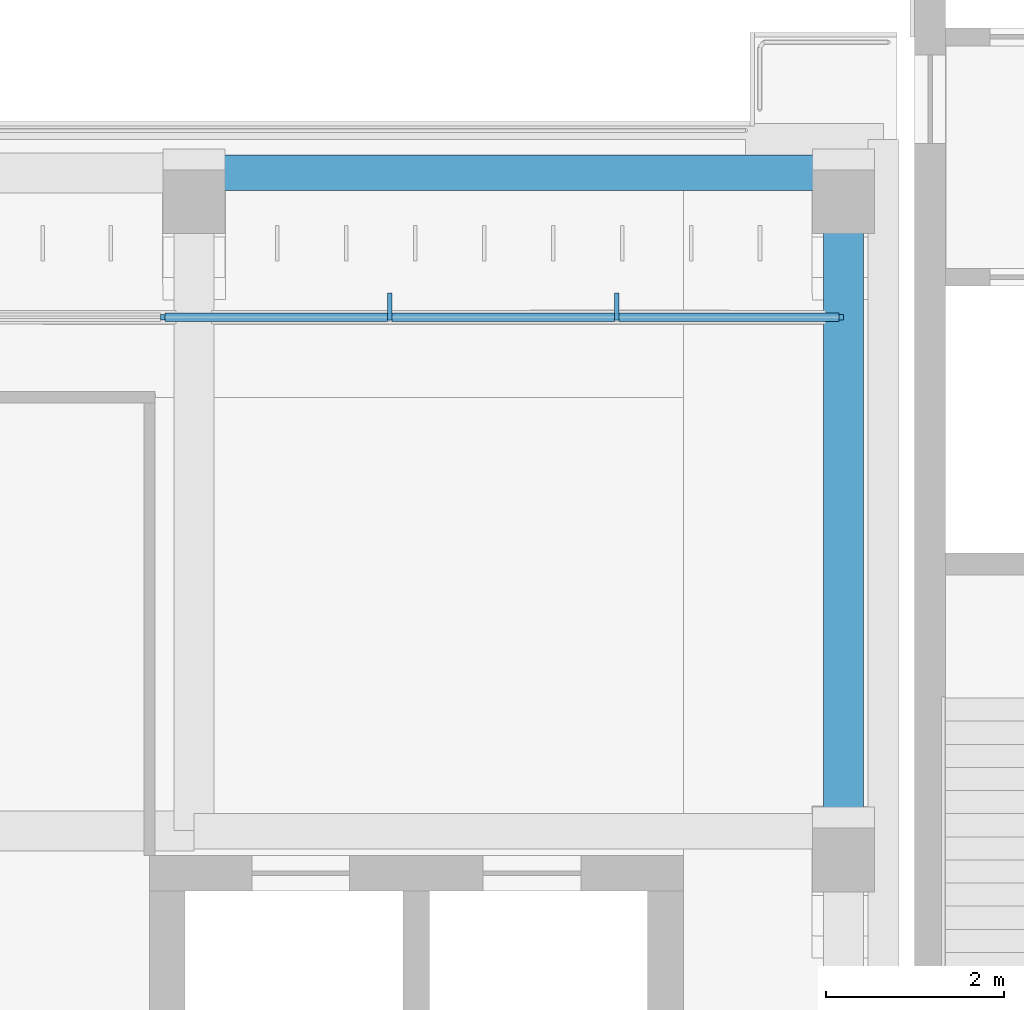
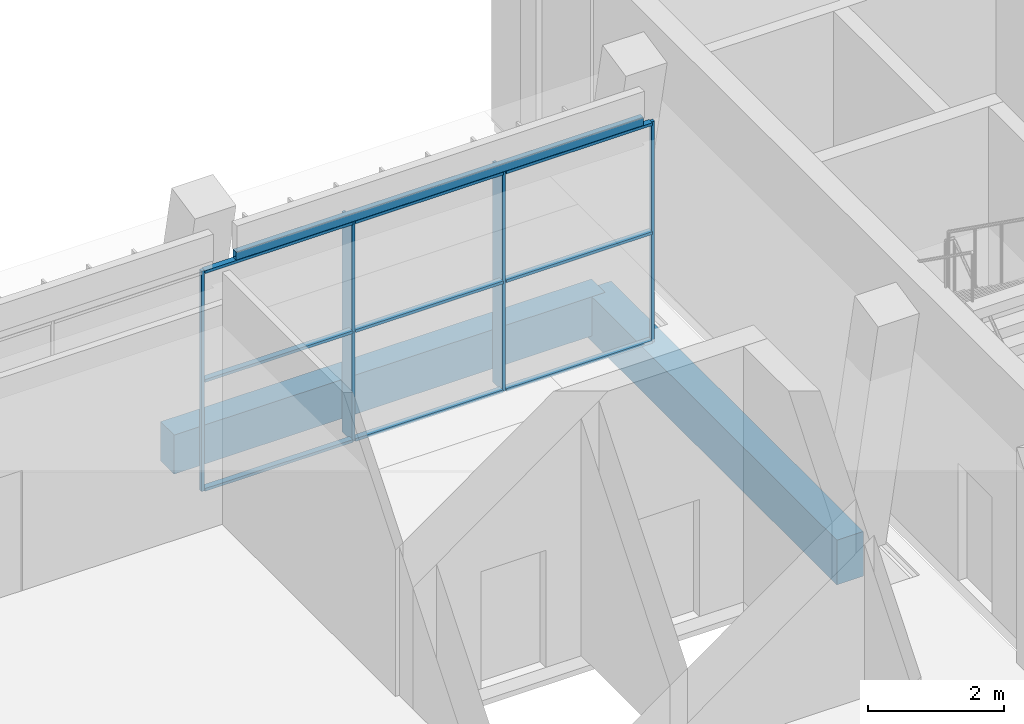
# One storey, part 14 of 74: 13 members, 3 beams, 1 element without a shape of its own.
"""IFC4 building model written with IfcOpenShell, lengths in metres."""

from ifc_helpers import new_model, si_unit, direction, frame, origin, origin_2d, place, context, subcontext, project, spatial, rectangle, hollow_rectangle, extrude, material, material_profile, profile_set, type_object, element, aggregate, save


model = new_model("IFC4")

# Units and contexts
model_context = context("Model", 3, precision=1e-05, world=origin(), true_north=direction((0.0, 1.0)))
body_context = subcontext(model_context, "Body", "Model", "MODEL_VIEW")
ifc_project = project(units=[si_unit("LENGTHUNIT", "METRE"), si_unit("AREAUNIT", "SQUARE_METRE"), si_unit("VOLUMEUNIT", "CUBIC_METRE"), si_unit("PLANEANGLEUNIT", "RADIAN"), si_unit("MASSUNIT", "GRAM", prefix="KILO")], contexts=[model_context])

# Site, building, storey
site_placement = place(None, origin())
site = spatial("IfcSite", under=ifc_project, at=site_placement, CompositionType="ELEMENT")
building_placement = place(site_placement, origin())
building = spatial("IfcBuilding", under=site, at=building_placement, Name="Lantern Court Media Centre", CompositionType="ELEMENT")
storey_placement = place(building_placement, frame((0.0, 0.0, 19.199951171875)))
storey = spatial("IfcBuildingStorey", under=building, at=storey_placement, Name="L04", CompositionType="ELEMENT", Elevation=19.199951171875)

# Curtain wall, members
ifc_material_1 = material(Name="Curtain wall bay 2400")
curtain_wall_type = type_object("IfcCurtainWallType", Name="Curtain wall bay 2400", PredefinedType="NOTDEFINED", material=ifc_material_1)
curtain_wall_placement = place(storey_placement, origin())
curtain_wall = element("IfcCurtainWall", 1, at=curtain_wall_placement, inside=storey, type_object=curtain_wall_type, Name="Curtain wall S inner L04", PredefinedType="NOTDEFINED")
ifc_material_2 = material(Name="Anodised aluminium", Category="aluminium")
ifc_material_profile_1 = material_profile(ifc_material_2, rectangle(XDim=0.300048828125, YDim=0.050048828125, at=origin_2d()), Name="AL 50x300")
ifc_profile_set_1 = profile_set([ifc_material_profile_1], Name="Anodised aluminium")
member_type_1 = type_object("IfcMemberType", Name="Curtain wall mullion 50x300", PredefinedType="MULLION", material=ifc_profile_set_1)
member_1_placement = place(storey_placement, frame((74.199951171875, 57.969970703125, 0.0), z_axis=(0.0, 0.0, 1.0), x_axis=(0.0, 1.0, 0.0)))
member_1 = element("IfcMember", 2, at=member_1_placement, type_object=member_type_1, Name="CW2 mullion 5", PredefinedType="MULLION", context=body_context, shape_type="SweptSolid", body=[
    extrude(rectangle(XDim=0.300048828125, YDim=0.050048828125, at=origin_2d()), origin(), (0.0, 0.0, 1.0), 3.949951171875),
])
member_2_placement = place(storey_placement, frame((76.75, 57.969970703125, 0.0), z_axis=(0.0, 0.0, 1.0), x_axis=(0.0, 1.0, 0.0)))
member_2 = element("IfcMember", 3, at=member_2_placement, type_object=member_type_1, Name="CW2 mullion 6", PredefinedType="MULLION", context=body_context, shape_type="SweptSolid", body=[
    extrude(rectangle(XDim=0.300048828125, YDim=0.050048828125, at=origin_2d()), origin(), (0.0, 0.0, 1.0), 3.949951171875),
])
ifc_material_profile_2 = material_profile(ifc_material_2, rectangle(XDim=0.06005859375, YDim=0.050048828125, at=origin_2d()), Name="AL 50x60")
ifc_profile_set_2 = profile_set([ifc_material_profile_2], Name="Anodised aluminium")
member_type_2 = type_object("IfcMemberType", Name="Curtain wall mullion 50x60", PredefinedType="MULLION", material=ifc_profile_set_2)
member_3_placement = place(storey_placement, frame((71.64990234375, 57.85009765625, 0.0), z_axis=(0.0, 0.0, 1.0), x_axis=(0.0, 1.0, 0.0)))
member_3 = element("IfcMember", 4, at=member_3_placement, type_object=member_type_2, Name="CW2 mullion 4", PredefinedType="MULLION", context=body_context, shape_type="SweptSolid", body=[
    extrude(rectangle(XDim=0.06005859375, YDim=0.050048828125, at=origin_2d()), origin(), (0.0, 0.0, 1.0), 3.949951171875),
])
member_4_placement = place(storey_placement, frame((79.27490234375, 57.85009765625, 0.0), z_axis=(0.0, 0.0, 1.0), x_axis=(0.0, 1.0, 0.0)))
member_4 = element("IfcMember", 5, at=member_4_placement, type_object=member_type_2, Name="CW2 mullion 7", PredefinedType="MULLION", context=body_context, shape_type="SweptSolid", body=[
    extrude(rectangle(XDim=0.06005859375, YDim=0.050048828125, at=origin_2d()), origin(), (0.0, 0.0, 1.0), 3.949951171875),
])
ifc_material_profile_3 = material_profile(ifc_material_2, rectangle(XDim=0.10009765625, YDim=0.050048828125, at=origin_2d()), Name="AL 50x100")
ifc_profile_set_3 = profile_set([ifc_material_profile_3], Name="Anodised aluminium")
member_type_3 = type_object("IfcMemberType", Name="Curtain wall transom 100x50", PredefinedType="USERDEFINED", material=ifc_profile_set_3)
member_5_placement = place(storey_placement, frame((71.675048828125, 57.85009765625, 0.025146484375), z_axis=(1.0, 0.0, 0.0), x_axis=(0.0, 1.0, 0.0)))
member_5 = element("IfcMember", 6, at=member_5_placement, type_object=member_type_3, Name="CW2 transom 4.1", ObjectType="TRANSOM", PredefinedType="USERDEFINED", context=body_context, shape_type="SweptSolid", body=[
    extrude(rectangle(XDim=0.10009765625, YDim=0.050048828125, at=origin_2d()), origin(), (0.0, 0.0, 1.0), 2.5),
])
member_6_placement = place(storey_placement, frame((71.675048828125, 57.85009765625, 1.97509765625), z_axis=(1.0, 0.0, 0.0), x_axis=(0.0, 1.0, 0.0)))
member_6 = element("IfcMember", 7, at=member_6_placement, type_object=member_type_3, Name="CW2 transom 4.2", ObjectType="TRANSOM", PredefinedType="USERDEFINED", context=body_context, shape_type="SweptSolid", body=[
    extrude(rectangle(XDim=0.10009765625, YDim=0.050048828125, at=origin_2d()), origin(), (0.0, 0.0, 1.0), 2.5),
])
member_7_placement = place(storey_placement, frame((71.675048828125, 57.85009765625, 3.925048828125), z_axis=(1.0, 0.0, 0.0), x_axis=(0.0, 1.0, 0.0)))
member_7 = element("IfcMember", 8, at=member_7_placement, type_object=member_type_3, Name="CW2 transom 4.3", ObjectType="TRANSOM", PredefinedType="USERDEFINED", context=body_context, shape_type="SweptSolid", body=[
    extrude(rectangle(XDim=0.10009765625, YDim=0.050048828125, at=origin_2d()), origin(), (0.0, 0.0, 1.0), 2.5),
])
member_8_placement = place(storey_placement, frame((74.22509765625, 57.85009765625, 0.025146484375), z_axis=(1.0, 0.0, 0.0), x_axis=(0.0, 1.0, 0.0)))
member_8 = element("IfcMember", 9, at=member_8_placement, type_object=member_type_3, Name="CW2 transom 5.1", ObjectType="TRANSOM", PredefinedType="USERDEFINED", context=body_context, shape_type="SweptSolid", body=[
    extrude(rectangle(XDim=0.10009765625, YDim=0.050048828125, at=origin_2d()), origin(), (0.0, 0.0, 1.0), 2.5),
])
member_9_placement = place(storey_placement, frame((74.22509765625, 57.85009765625, 1.97509765625), z_axis=(1.0, 0.0, 0.0), x_axis=(0.0, 1.0, 0.0)))
member_9 = element("IfcMember", 10, at=member_9_placement, type_object=member_type_3, Name="CW2 transom 5.2", ObjectType="TRANSOM", PredefinedType="USERDEFINED", context=body_context, shape_type="SweptSolid", body=[
    extrude(rectangle(XDim=0.10009765625, YDim=0.050048828125, at=origin_2d()), origin(), (0.0, 0.0, 1.0), 2.5),
])
member_10_placement = place(storey_placement, frame((74.22509765625, 57.85009765625, 3.925048828125), z_axis=(1.0, 0.0, 0.0), x_axis=(0.0, 1.0, 0.0)))
member_10 = element("IfcMember", 11, at=member_10_placement, type_object=member_type_3, Name="CW2 transom 5.3", ObjectType="TRANSOM", PredefinedType="USERDEFINED", context=body_context, shape_type="SweptSolid", body=[
    extrude(rectangle(XDim=0.10009765625, YDim=0.050048828125, at=origin_2d()), origin(), (0.0, 0.0, 1.0), 2.5),
])
member_11_placement = place(storey_placement, frame((76.77490234375, 57.85009765625, 0.025146484375), z_axis=(1.0, 0.0, 0.0), x_axis=(0.0, 1.0, 0.0)))
member_11 = element("IfcMember", 12, at=member_11_placement, type_object=member_type_3, Name="CW2 transom 6.1", ObjectType="TRANSOM", PredefinedType="USERDEFINED", context=body_context, shape_type="SweptSolid", body=[
    extrude(rectangle(XDim=0.10009765625, YDim=0.050048828125, at=origin_2d()), origin(), (0.0, 0.0, 1.0), 2.47509765625),
])
member_12_placement = place(storey_placement, frame((76.77490234375, 57.85009765625, 1.97509765625), z_axis=(1.0, 0.0, 0.0), x_axis=(0.0, 1.0, 0.0)))
member_12 = element("IfcMember", 13, at=member_12_placement, type_object=member_type_3, Name="CW2 transom 6.2", ObjectType="TRANSOM", PredefinedType="USERDEFINED", context=body_context, shape_type="SweptSolid", body=[
    extrude(rectangle(XDim=0.10009765625, YDim=0.050048828125, at=origin_2d()), origin(), (0.0, 0.0, 1.0), 2.47509765625),
])
member_13_placement = place(storey_placement, frame((76.77490234375, 57.85009765625, 3.925048828125), z_axis=(1.0, 0.0, 0.0), x_axis=(0.0, 1.0, 0.0)))
member_13 = element("IfcMember", 14, at=member_13_placement, type_object=member_type_3, Name="CW2 transom 6.3", ObjectType="TRANSOM", PredefinedType="USERDEFINED", context=body_context, shape_type="SweptSolid", body=[
    extrude(rectangle(XDim=0.10009765625, YDim=0.050048828125, at=origin_2d()), origin(), (0.0, 0.0, 1.0), 2.47509765625),
])
aggregate(curtain_wall, [member_3, member_1, member_2, member_4, member_5, member_6, member_7, member_8, member_9, member_10, member_11, member_12, member_13])

# Beams
ifc_material_3 = material(Name="Steel S355J2 (EN 10025-2)", Category="steel")
ifc_material_profile_4 = material_profile(ifc_material_3, hollow_rectangle(XDim=0.10009765625, YDim=0.14990234375, WallThickness=0.00634765625, InnerFilletRadius=0.00634765625, OuterFilletRadius=0.009521484375, at=origin_2d()), Name="Facade head lintel RHS 150x100x6.3")
ifc_profile_set_4 = profile_set([ifc_material_profile_4], Name="Steel S355J2 (EN 10025-2)")
beam_type_1 = type_object("IfcBeamType", Name="Facade head lintel RHS 150x100x6.3", PredefinedType="BEAM", material=ifc_profile_set_4)
beam_1_placement = place(storey_placement, frame((72.199951171875, 57.85009765625, 4.025146484375), z_axis=(1.0, 0.0, 0.0), x_axis=(0.0, 1.0, 0.0)))
element("IfcBeam", 15, at=beam_1_placement, inside=storey, type_object=beam_type_1, Name="Facade head lintel S L04", PredefinedType="BEAM", context=body_context, shape_type="SweptSolid", body=[
    extrude(hollow_rectangle(XDim=0.10009765625, YDim=0.14990234375, WallThickness=0.00634765625, InnerFilletRadius=0.00634765625, OuterFilletRadius=0.009521484375, at=origin_2d()), origin(), (0.0, 0.0, 1.0), 6.900146484375),
])
ifc_material_4 = material(Name="Concrete C35", Category="concrete")
ifc_material_profile_5 = material_profile(ifc_material_4, rectangle(XDim=0.39990234375, YDim=0.699951171875, at=origin_2d()), Name="RC 400x700")
ifc_profile_set_5 = profile_set([ifc_material_profile_5], Name="Concrete C35")
beam_type_2 = type_object("IfcBeamType", Name="RC BEAM 400x700", PredefinedType="BEAM", material=ifc_profile_set_5)
beam_2_placement = place(storey_placement, frame((72.0, 59.472900390625, -0.349853515625), z_axis=(1.0, 0.0, 0.0), x_axis=(0.0, 1.0, 0.0)))
element("IfcBeam", 16, at=beam_2_placement, inside=storey, type_object=beam_type_2, Name="LB-S-L04-2-6", PredefinedType="BEAM", context=body_context, shape_type="SweptSolid", body=[
    extrude(rectangle(XDim=0.39990234375, YDim=0.699951171875, at=origin_2d()), origin(), (0.0, 0.0, 1.0), 7.300048828125),
])
ifc_material_profile_6 = material_profile(ifc_material_4, rectangle(XDim=0.449951171875, YDim=0.800048828125, at=origin_2d()), Name="RC 450x800")
ifc_profile_set_6 = profile_set([ifc_material_profile_6], Name="Concrete C35")
beam_type_3 = type_object("IfcBeamType", Name="RC BEAM 450x800", PredefinedType="BEAM", material=ifc_profile_set_6)
beam_3_placement = place(storey_placement, frame((79.300048828125, 52.083251953125, -0.39990234375), z_axis=(0.0, 1.0, 0.0), x_axis=(-1.0, 0.0, 0.0)))
element("IfcBeam", 17, at=beam_3_placement, inside=storey, type_object=beam_type_3, Name="TB-S-L04-7-2", PredefinedType="BEAM", context=body_context, shape_type="SweptSolid", body=[
    extrude(rectangle(XDim=0.449951171875, YDim=0.800048828125, at=origin_2d()), origin(), (0.0, 0.0, 1.0), 7.400146484375),
])

save(model, "model.ifc")
